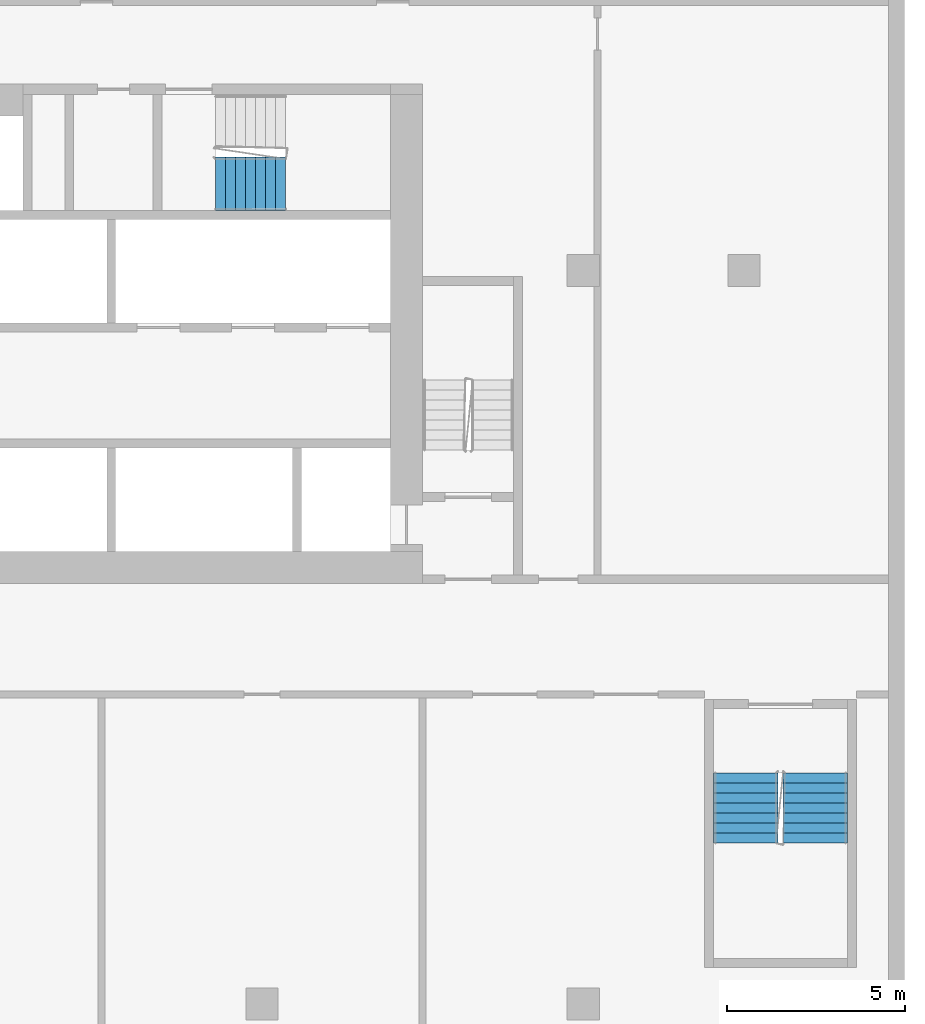
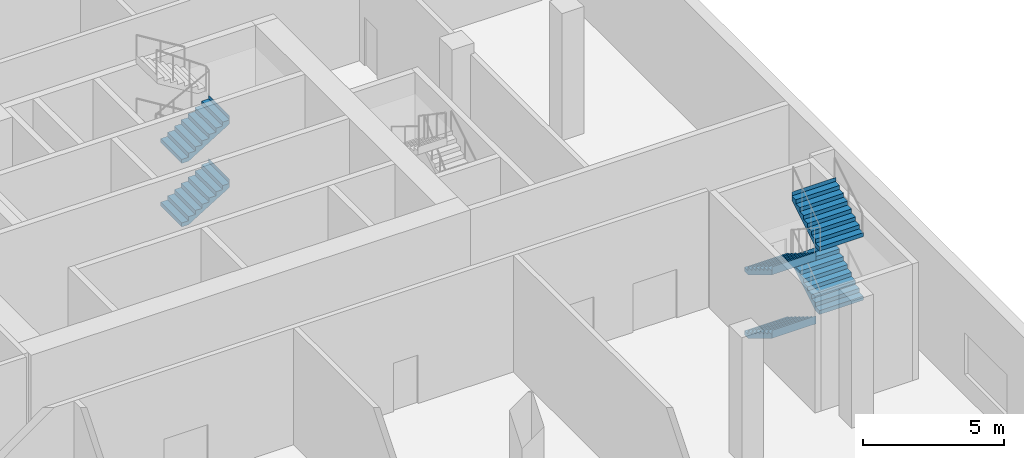
# One storey, part 18 of 21: 6 stair flights, 2 elements without a shape of their own.
"""IFC4 building model written with IfcOpenShell, lengths in metres."""

import ifcopenshell
import ifcopenshell.guid

model = None  # the IFC model being written
_history = None  # IfcOwnerHistory: only IFC2X3 demands one
_inside = {}  # id of a spatial element -> (the spatial element, [elements in it])
_under = {}  # id of a project, library or spatial element -> (it, [spatial elements below it])
_declared = {}  # id of a project -> (the project, [libraries it declares])
_typed = {}  # id of a type object -> (the type object, [elements of that type])
_made_of = {}  # id of a material, layer set ... -> (it, [elements and type objects made of it])


def new_model(schema):
    """Start an empty IFC model of exactly this schema.

    Asked for "IFC4X3", IfcOpenShell would pick the latest addendum, in which some entities
    have other attributes; the version numbers below select the first issue.
    IFC2X3 requires an IfcOwnerHistory on every rooted entity: one is made here for all.
    """
    global model, _history
    if schema == "IFC4X3":
        model = ifcopenshell.file(schema_version=(4, 3, 0, 0))
    else:
        model = ifcopenshell.file(schema=schema)
    _inside.clear()
    _under.clear()
    _declared.clear()
    _typed.clear()
    _made_of.clear()
    _history = None
    if model.schema == "IFC2X3":
        org = make("IfcOrganization", Name="unknown")
        user = make(
            "IfcPersonAndOrganization",
            ThePerson=make("IfcPerson", FamilyName="unknown"),
            TheOrganization=org,
        )
        app = make(
            "IfcApplication",
            ApplicationDeveloper=org,
            Version="unknown",
            ApplicationFullName="unknown",
            ApplicationIdentifier="unknown",
        )
        _history = make(
            "IfcOwnerHistory",
            OwningUser=user,
            OwningApplication=app,
            ChangeAction="ADDED",
            CreationDate=0,
        )
    return model


def make(cls, **values):
    """One entity of the class cls with the attributes given. An attribute that is None is left unset."""
    return model.create_entity(
        cls, **{name: value for name, value in values.items() if value is not None}
    )


def rooted(cls, **values):
    """An entity with a GlobalId (a new one), such as an element, a storey or a relation."""
    return make(cls, GlobalId=ifcopenshell.guid.new(), OwnerHistory=_history, **values)


def si_unit(unit_type, name, prefix=None):
    """IfcSIUnit, for example si_unit("LENGTHUNIT", "METRE", prefix="MILLI")."""
    return make("IfcSIUnit", UnitType=unit_type, Prefix=prefix, Name=name)


def assignment(units):
    """IfcUnitAssignment: the units of a project."""
    return None if units is None else make("IfcUnitAssignment", Units=units)


def point(xyz):
    """IfcCartesianPoint."""
    return None if xyz is None else make("IfcCartesianPoint", Coordinates=xyz)


def direction(xyz):
    """IfcDirection."""
    return None if xyz is None else make("IfcDirection", DirectionRatios=xyz)


def frame(location, z_axis=None, x_axis=None):
    """IfcAxis2Placement3D, a coordinate frame: its origin and axes. An axis left out is left unset."""
    return make(
        "IfcAxis2Placement3D",
        Location=point(location),
        Axis=direction(z_axis),
        RefDirection=direction(x_axis),
    )


def origin():
    """The frame at (0, 0, 0) with its axes left unset."""
    return frame((0.0, 0.0, 0.0))


def place(relative_to, where):
    """IfcLocalPlacement: puts the frame where relative to a parent placement (None: the world)."""
    return make(
        "IfcLocalPlacement", PlacementRelTo=relative_to, RelativePlacement=where
    )


def context(
    kind, dimensions, precision=None, world=None, true_north=None, identifier=None
):
    """IfcGeometricRepresentationContext, for example the 3D "Model" context."""
    return make(
        "IfcGeometricRepresentationContext",
        ContextIdentifier=identifier,
        ContextType=kind,
        CoordinateSpaceDimension=dimensions,
        Precision=precision,
        WorldCoordinateSystem=world,
        TrueNorth=true_north,
    )


def subcontext(parent, identifier, kind, view, scale=None):
    """IfcGeometricRepresentationSubContext, for example "Body" below "Model"."""
    return make(
        "IfcGeometricRepresentationSubContext",
        ContextIdentifier=identifier,
        ContextType=kind,
        ParentContext=parent,
        TargetScale=scale,
        TargetView=view,
    )


def project(units=None, contexts=None):
    """IfcProject with its units and contexts."""
    return rooted(
        "IfcProject",
        Name="project",
        RepresentationContexts=contexts,
        UnitsInContext=assignment(units),
    )


def spatial(cls, under=None, at=None, **own):
    """A site, building, storey or space (cls), placed at a placement, below another one or the project."""
    s = rooted(cls, ObjectPlacement=at, **own)
    if under is not None:
        _under.setdefault(under.id(), (under, []))[1].append(s)
    return s


def faces_of(points, faces, orient=None, outer=None):
    """IfcFace entities. A face is a list of loops; a loop is a list of indices into points, from 0.

    orient and outer hold one flag for each loop. By default every Orientation is true, the
    first loop of a face is its IfcFaceOuterBound and the others are IfcFaceBound.
    """
    made = []
    for i, loops in enumerate(faces):
        bounds = []
        for j, loop in enumerate(loops):
            is_outer = j == 0 if outer is None else outer[i][j]
            bounds.append(
                make(
                    "IfcFaceOuterBound" if is_outer else "IfcFaceBound",
                    Bound=make("IfcPolyLoop", Polygon=[points[k] for k in loop]),
                    Orientation=True if orient is None else orient[i][j],
                )
            )
        made.append(make("IfcFace", Bounds=bounds))
    return made


def faceted_brep(points, faces, orient=None, outer=None, voids=None):
    """IfcFacetedBrep: a solid bounded by flat faces; with voids (closed shells), ...WithVoids."""
    shared = [point(p) for p in points]
    hull = make("IfcClosedShell", CfsFaces=faces_of(shared, faces, orient, outer))
    if voids is None:
        return make("IfcFacetedBrep", Outer=hull)
    return make(
        "IfcFacetedBrepWithVoids",
        Outer=hull,
        Voids=[
            make(cls, CfsFaces=faces_of(shared, fs, o, b)) for cls, fs, o, b in voids
        ],
    )


def shape(context_of_items, identifier, shape_type, items):
    """IfcShapeRepresentation: the items that make up one representation, for example the "Body"."""
    return make(
        "IfcShapeRepresentation",
        ContextOfItems=context_of_items,
        RepresentationIdentifier=identifier,
        RepresentationType=shape_type,
        Items=items,
    )


def material(Name=None, Category=None):
    """IfcMaterial."""
    return make("IfcMaterial", Name=Name, Category=Category)


def made_of(thing, what):
    """Note that an element or type object is made of a material, layer set ...; save() writes the relation."""
    if what is not None:
        _made_of.setdefault(what.id(), (what, []))[1].append(thing)
    return thing


def type_object(cls, material=None, **own):
    """A type object (cls), such as IfcWallType, which elements share."""
    return made_of(rooted(cls, **own), material)


def element(
    cls,
    number,
    at=None,
    inside=None,
    cuts=None,
    type_object=None,
    material=None,
    context=None,
    identifier="Body",
    shape_type=None,
    held_by="IfcProductDefinitionShape",
    body=None,
    shapes=None,
    **own,
):
    """One element of the class cls, such as IfcWall. Its Tag is "e" and its number.

    at: its placement. inside: the storey or other place that contains it. cuts: it is an
    opening in that element (IfcRelVoidsElement). A single representation is given by context,
    identifier, shape_type and body (its items); several are given by shapes. held_by: the class
    of the entity that holds the representations. save() writes the other relations.
    """
    e = rooted(cls, Tag="e%d" % number, ObjectPlacement=at, **own)
    if body is not None:
        shapes = [shape(context, identifier, shape_type, body)]
    if shapes is not None:
        e.Representation = make(held_by, Representations=shapes)
    if inside is not None:
        _inside.setdefault(inside.id(), (inside, []))[1].append(e)
    if cuts is not None:
        rooted(
            "IfcRelVoidsElement", RelatingBuildingElement=cuts, RelatedOpeningElement=e
        )
    if type_object is not None:
        _typed.setdefault(type_object.id(), (type_object, []))[1].append(e)
    return made_of(e, material)


def aggregate(whole, parts):
    """IfcRelAggregates: a whole, such as a stair, and the parts it consists of."""
    return rooted("IfcRelAggregates", RelatingObject=whole, RelatedObjects=parts)


def save(model, path):
    """Write the relations noted so far, then the file.

    IfcRelAggregates (storeys below a building ...), IfcRelContainedInSpatialStructure (elements
    in a storey), IfcRelDefinesByType, IfcRelAssociatesMaterial and IfcRelDeclares: one each for
    every whole, place, type object, material and project.
    """
    for whole, parts in _under.values():
        aggregate(whole, parts)
    for where, things in _inside.values():
        rooted(
            "IfcRelContainedInSpatialStructure",
            RelatedElements=things,
            RelatingStructure=where,
        )
    for kind, things in _typed.values():
        rooted("IfcRelDefinesByType", RelatedObjects=things, RelatingType=kind)
    for what, things in _made_of.values():
        rooted("IfcRelAssociatesMaterial", RelatedObjects=things, RelatingMaterial=what)
    for by, libraries in _declared.values():
        rooted("IfcRelDeclares", RelatingContext=by, RelatedDefinitions=libraries)
    model.write(path)


model = new_model("IFC4")

# Units and contexts
model_context = context("Model", 3, precision=1e-05, world=origin(), true_north=direction((0.0, 1.0)))
body_context = subcontext(model_context, "Body", "Model", "MODEL_VIEW")
ifc_project = project(units=[si_unit("LENGTHUNIT", "METRE"), si_unit("AREAUNIT", "SQUARE_METRE"), si_unit("VOLUMEUNIT", "CUBIC_METRE"), si_unit("PLANEANGLEUNIT", "RADIAN"), si_unit("MASSUNIT", "GRAM", prefix="KILO")], contexts=[model_context])

# Site, building, storey
site_placement = place(None, origin())
site = spatial("IfcSite", under=ifc_project, at=site_placement, CompositionType="ELEMENT")
building_placement = place(site_placement, origin())
building = spatial("IfcBuilding", under=site, at=building_placement, Name="Kajstack Hotel Tower", CompositionType="ELEMENT")
storey_placement = place(building_placement, frame((0.0, 0.0, 23.5)))
storey = spatial("IfcBuildingStorey", under=building, at=storey_placement, Name="L03", CompositionType="ELEMENT", Elevation=23.5)

# Stair, stair flights
ifc_material = material(Name="Concrete C40/50", Category="concrete")
stair_type_1 = type_object("IfcStairType", Name="Escape stair 1800", PredefinedType="HALF_TURN_STAIR", material=ifc_material)
stair_1_placement = place(storey_placement, origin())
stair_1 = element("IfcStair", 1, at=stair_1_placement, inside=storey, type_object=stair_type_1, Name="L03 stair P2", PredefinedType="HALF_TURN_STAIR")
stair_flight_type_1 = type_object("IfcStairFlightType", Name="Escape stair flight 1800", PredefinedType="STRAIGHT", material=ifc_material)
stair_flight_1_placement = place(storey_placement, frame((40.550048828125, -3.800048828125, 0.0), z_axis=(0.0, 0.0, 1.0), x_axis=(0.0, -1.0, 0.0)))
stair_flight_1 = element("IfcStairFlight", 2, at=stair_flight_1_placement, type_object=stair_flight_type_1, Name="P2 flight 1", NumberOfRisers=8, NumberOfTreads=7, PredefinedType="STRAIGHT", RiserHeight=0.171875, TreadLength=0.28, context=body_context, shape_type="Brep", body=[
    faceted_brep([(0.287109375, -0.89990234375, 0.0), (1.96044921875, -0.89990234375, 1.02734375), (1.96044921875, -0.89990234375, 1.375), (1.9599609375, -0.89990234375, 1.375), (1.9599609375, -0.89990234375, 1.203125), (1.679931640625, -0.89990234375, 1.203125), (1.679931640625, -0.89990234375, 1.03125), (1.39990234375, -0.89990234375, 1.03125), (1.39990234375, -0.89990234375, 0.859375), (1.1201171875, -0.89990234375, 0.859375), (1.1201171875, -0.89990234375, 0.6875), (0.840087890625, -0.89990234375, 0.6875), (0.840087890625, -0.89990234375, 0.515625), (0.56005859375, -0.89990234375, 0.515625), (0.56005859375, -0.89990234375, 0.34375), (0.280029296875, -0.89990234375, 0.34375), (0.280029296875, -0.89990234375, 0.171875), (-0.00048828125, -0.89990234375, 0.171875), (-0.00048828125, -0.89990234375, 0.0), (-0.00048828125, 0.89990234375, 0.0), (-0.00048828125, 0.89990234375, 0.171875), (0.280029296875, 0.89990234375, 0.171875), (0.280029296875, 0.89990234375, 0.34375), (0.56005859375, 0.89990234375, 0.34375), (0.56005859375, 0.89990234375, 0.515625), (0.840087890625, 0.89990234375, 0.515625), (0.840087890625, 0.89990234375, 0.6875), (1.1201171875, 0.89990234375, 0.6875), (1.1201171875, 0.89990234375, 0.859375), (1.39990234375, 0.89990234375, 0.859375), (1.39990234375, 0.89990234375, 1.03125), (1.679931640625, 0.89990234375, 1.03125), (1.679931640625, 0.89990234375, 1.203125), (1.9599609375, 0.89990234375, 1.203125), (1.9599609375, 0.89990234375, 1.375), (1.96044921875, 0.89990234375, 1.375), (1.96044921875, 0.89990234375, 1.02734375), (0.287109375, 0.89990234375, 0.0), (-0.00048828125, -0.449951171875, 0.171875), (-0.00048828125, 0.0, 0.171875), (-0.00048828125, 0.449951171875, 0.171875), (-0.00048828125, 0.449951171875, 0.0), (-0.00048828125, 0.0, 0.0), (-0.00048828125, -0.449951171875, 0.0), (0.280029296875, -0.449951171875, 0.171875), (0.280029296875, 0.0, 0.171875), (0.280029296875, 0.449951171875, 0.171875), (0.280029296875, -0.449951171875, 0.34375), (0.280029296875, 0.0, 0.34375), (0.280029296875, 0.449951171875, 0.34375), (0.56005859375, -0.449951171875, 0.34375), (0.56005859375, 0.0, 0.34375), (0.56005859375, 0.449951171875, 0.34375), (0.56005859375, -0.449951171875, 0.515625), (0.56005859375, 0.0, 0.515625), (0.56005859375, 0.449951171875, 0.515625), (0.840087890625, -0.449951171875, 0.515625), (0.840087890625, 0.0, 0.515625), (0.840087890625, 0.449951171875, 0.515625), (0.840087890625, -0.449951171875, 0.6875), (0.840087890625, 0.0, 0.6875), (0.840087890625, 0.449951171875, 0.6875), (1.1201171875, -0.449951171875, 0.6875), (1.1201171875, 0.0, 0.6875), (1.1201171875, 0.449951171875, 0.6875), (1.1201171875, -0.449951171875, 0.859375), (1.1201171875, 0.0, 0.859375), (1.1201171875, 0.449951171875, 0.859375), (1.39990234375, -0.449951171875, 0.859375), (1.39990234375, 0.0, 0.859375), (1.39990234375, 0.449951171875, 0.859375), (1.39990234375, -0.449951171875, 1.03125), (1.39990234375, 0.0, 1.03125), (1.39990234375, 0.449951171875, 1.03125), (1.679931640625, -0.449951171875, 1.03125), (1.679931640625, 0.0, 1.03125), (1.679931640625, 0.449951171875, 1.03125), (1.679931640625, -0.449951171875, 1.203125), (1.679931640625, 0.0, 1.203125), (1.679931640625, 0.449951171875, 1.203125), (1.9599609375, -0.449951171875, 1.203125), (1.9599609375, 0.0, 1.203125), (1.9599609375, 0.449951171875, 1.203125), (1.9599609375, -0.449951171875, 1.375), (1.9599609375, 0.0, 1.375), (1.9599609375, 0.449951171875, 1.375), (1.96044921875, -0.449951171875, 1.375), (1.96044921875, 0.0, 1.375), (1.96044921875, 0.449951171875, 1.375), (1.96044921875, -0.449951171875, 1.02734375), (1.96044921875, 0.0, 1.02734375), (1.96044921875, 0.449951171875, 1.02734375), (0.287109375, -0.449951171875, 0.0), (0.287109375, 0.0, 0.0), (0.287109375, 0.449951171875, 0.0)], [[[0, 1, 2, 3, 4, 5, 6, 7, 8, 9, 10, 11, 12, 13, 14, 15, 16, 17, 18]], [[19, 20, 21, 22, 23, 24, 25, 26, 27, 28, 29, 30, 31, 32, 33, 34, 35, 36, 37]], [[17, 38, 39, 40, 20, 19, 41, 42, 43, 18]], [[16, 44, 45, 46, 21, 20, 40, 39, 38, 17]], [[15, 47, 48, 49, 22, 21, 46, 45, 44, 16]], [[14, 50, 51, 52, 23, 22, 49, 48, 47, 15]], [[13, 53, 54, 55, 24, 23, 52, 51, 50, 14]], [[12, 56, 57, 58, 25, 24, 55, 54, 53, 13]], [[11, 59, 60, 61, 26, 25, 58, 57, 56, 12]], [[10, 62, 63, 64, 27, 26, 61, 60, 59, 11]], [[9, 65, 66, 67, 28, 27, 64, 63, 62, 10]], [[8, 68, 69, 70, 29, 28, 67, 66, 65, 9]], [[7, 71, 72, 73, 30, 29, 70, 69, 68, 8]], [[6, 74, 75, 76, 31, 30, 73, 72, 71, 7]], [[5, 77, 78, 79, 32, 31, 76, 75, 74, 6]], [[4, 80, 81, 82, 33, 32, 79, 78, 77, 5]], [[3, 83, 84, 85, 34, 33, 82, 81, 80, 4]], [[2, 86, 87, 88, 35, 34, 85, 84, 83, 3]], [[1, 89, 90, 91, 36, 35, 88, 87, 86, 2]], [[0, 92, 93, 94, 37, 36, 91, 90, 89, 1]], [[18, 43, 42, 41, 19, 37, 94, 93, 92, 0]]]),
])
stair_flight_2_placement = place(storey_placement, frame((42.5, -5.760009765625, 1.375), z_axis=(0.0, 0.0, 1.0), x_axis=(0.0, 1.0, 0.0)))
stair_flight_2 = element("IfcStairFlight", 3, at=stair_flight_2_placement, type_object=stair_flight_type_1, Name="P2 flight 2", NumberOfRisers=8, NumberOfTreads=7, PredefinedType="STRAIGHT", RiserHeight=0.171875, TreadLength=0.28, context=body_context, shape_type="Brep", body=[
    faceted_brep([(0.287109375, -0.89990234375, 0.0), (1.96044921875, -0.89990234375, 1.02734375), (1.96044921875, -0.89990234375, 1.375), (1.9599609375, -0.89990234375, 1.375), (1.9599609375, -0.89990234375, 1.203125), (1.679931640625, -0.89990234375, 1.203125), (1.679931640625, -0.89990234375, 1.03125), (1.39990234375, -0.89990234375, 1.03125), (1.39990234375, -0.89990234375, 0.859375), (1.1201171875, -0.89990234375, 0.859375), (1.1201171875, -0.89990234375, 0.6875), (0.840087890625, -0.89990234375, 0.6875), (0.840087890625, -0.89990234375, 0.515625), (0.56005859375, -0.89990234375, 0.515625), (0.56005859375, -0.89990234375, 0.34375), (0.280029296875, -0.89990234375, 0.34375), (0.280029296875, -0.89990234375, 0.171875), (-0.00048828125, -0.89990234375, 0.171875), (-0.00048828125, -0.89990234375, 0.0), (-0.00048828125, 0.89990234375, 0.0), (-0.00048828125, 0.89990234375, 0.171875), (0.280029296875, 0.89990234375, 0.171875), (0.280029296875, 0.89990234375, 0.34375), (0.56005859375, 0.89990234375, 0.34375), (0.56005859375, 0.89990234375, 0.515625), (0.840087890625, 0.89990234375, 0.515625), (0.840087890625, 0.89990234375, 0.6875), (1.1201171875, 0.89990234375, 0.6875), (1.1201171875, 0.89990234375, 0.859375), (1.39990234375, 0.89990234375, 0.859375), (1.39990234375, 0.89990234375, 1.03125), (1.679931640625, 0.89990234375, 1.03125), (1.679931640625, 0.89990234375, 1.203125), (1.9599609375, 0.89990234375, 1.203125), (1.9599609375, 0.89990234375, 1.375), (1.96044921875, 0.89990234375, 1.375), (1.96044921875, 0.89990234375, 1.02734375), (0.287109375, 0.89990234375, 0.0), (-0.00048828125, -0.449951171875, 0.171875), (-0.00048828125, 0.0, 0.171875), (-0.00048828125, 0.449951171875, 0.171875), (-0.00048828125, 0.449951171875, 0.0), (-0.00048828125, 0.0, 0.0), (-0.00048828125, -0.449951171875, 0.0), (0.280029296875, -0.449951171875, 0.171875), (0.280029296875, 0.0, 0.171875), (0.280029296875, 0.449951171875, 0.171875), (0.280029296875, -0.449951171875, 0.34375), (0.280029296875, 0.0, 0.34375), (0.280029296875, 0.449951171875, 0.34375), (0.56005859375, -0.449951171875, 0.34375), (0.56005859375, 0.0, 0.34375), (0.56005859375, 0.449951171875, 0.34375), (0.56005859375, -0.449951171875, 0.515625), (0.56005859375, 0.0, 0.515625), (0.56005859375, 0.449951171875, 0.515625), (0.840087890625, -0.449951171875, 0.515625), (0.840087890625, 0.0, 0.515625), (0.840087890625, 0.449951171875, 0.515625), (0.840087890625, -0.449951171875, 0.6875), (0.840087890625, 0.0, 0.6875), (0.840087890625, 0.449951171875, 0.6875), (1.1201171875, -0.449951171875, 0.6875), (1.1201171875, 0.0, 0.6875), (1.1201171875, 0.449951171875, 0.6875), (1.1201171875, -0.449951171875, 0.859375), (1.1201171875, 0.0, 0.859375), (1.1201171875, 0.449951171875, 0.859375), (1.39990234375, -0.449951171875, 0.859375), (1.39990234375, 0.0, 0.859375), (1.39990234375, 0.449951171875, 0.859375), (1.39990234375, -0.449951171875, 1.03125), (1.39990234375, 0.0, 1.03125), (1.39990234375, 0.449951171875, 1.03125), (1.679931640625, -0.449951171875, 1.03125), (1.679931640625, 0.0, 1.03125), (1.679931640625, 0.449951171875, 1.03125), (1.679931640625, -0.449951171875, 1.203125), (1.679931640625, 0.0, 1.203125), (1.679931640625, 0.449951171875, 1.203125), (1.9599609375, -0.449951171875, 1.203125), (1.9599609375, 0.0, 1.203125), (1.9599609375, 0.449951171875, 1.203125), (1.9599609375, -0.449951171875, 1.375), (1.9599609375, 0.0, 1.375), (1.9599609375, 0.449951171875, 1.375), (1.96044921875, -0.449951171875, 1.375), (1.96044921875, 0.0, 1.375), (1.96044921875, 0.449951171875, 1.375), (1.96044921875, -0.449951171875, 1.02734375), (1.96044921875, 0.0, 1.02734375), (1.96044921875, 0.449951171875, 1.02734375), (0.287109375, -0.449951171875, 0.0), (0.287109375, 0.0, 0.0), (0.287109375, 0.449951171875, 0.0)], [[[0, 1, 2, 3, 4, 5, 6, 7, 8, 9, 10, 11, 12, 13, 14, 15, 16, 17, 18]], [[19, 20, 21, 22, 23, 24, 25, 26, 27, 28, 29, 30, 31, 32, 33, 34, 35, 36, 37]], [[17, 38, 39, 40, 20, 19, 41, 42, 43, 18]], [[16, 44, 45, 46, 21, 20, 40, 39, 38, 17]], [[15, 47, 48, 49, 22, 21, 46, 45, 44, 16]], [[14, 50, 51, 52, 23, 22, 49, 48, 47, 15]], [[13, 53, 54, 55, 24, 23, 52, 51, 50, 14]], [[12, 56, 57, 58, 25, 24, 55, 54, 53, 13]], [[11, 59, 60, 61, 26, 25, 58, 57, 56, 12]], [[10, 62, 63, 64, 27, 26, 61, 60, 59, 11]], [[9, 65, 66, 67, 28, 27, 64, 63, 62, 10]], [[8, 68, 69, 70, 29, 28, 67, 66, 65, 9]], [[7, 71, 72, 73, 30, 29, 70, 69, 68, 8]], [[6, 74, 75, 76, 31, 30, 73, 72, 71, 7]], [[5, 77, 78, 79, 32, 31, 76, 75, 74, 6]], [[4, 80, 81, 82, 33, 32, 79, 78, 77, 5]], [[3, 83, 84, 85, 34, 33, 82, 81, 80, 4]], [[2, 86, 87, 88, 35, 34, 85, 84, 83, 3]], [[1, 89, 90, 91, 36, 35, 88, 87, 86, 2]], [[0, 92, 93, 94, 37, 36, 91, 90, 89, 1]], [[18, 43, 42, 41, 19, 37, 94, 93, 92, 0]]]),
])
stair_flight_3_placement = place(storey_placement, frame((40.550048828125, -3.800048828125, 2.75), z_axis=(0.0, 0.0, 1.0), x_axis=(0.0, -1.0, 0.0)))
stair_flight_3 = element("IfcStairFlight", 4, at=stair_flight_3_placement, type_object=stair_flight_type_1, Name="P2 flight 3", NumberOfRisers=8, NumberOfTreads=7, PredefinedType="STRAIGHT", RiserHeight=0.171875, TreadLength=0.28, context=body_context, shape_type="Brep", body=[
    faceted_brep([(0.287109375, -0.89990234375, 0.0), (1.96044921875, -0.89990234375, 1.02734375), (1.96044921875, -0.89990234375, 1.375), (1.9599609375, -0.89990234375, 1.375), (1.9599609375, -0.89990234375, 1.203125), (1.679931640625, -0.89990234375, 1.203125), (1.679931640625, -0.89990234375, 1.03125), (1.39990234375, -0.89990234375, 1.03125), (1.39990234375, -0.89990234375, 0.859375), (1.1201171875, -0.89990234375, 0.859375), (1.1201171875, -0.89990234375, 0.6875), (0.840087890625, -0.89990234375, 0.6875), (0.840087890625, -0.89990234375, 0.515625), (0.56005859375, -0.89990234375, 0.515625), (0.56005859375, -0.89990234375, 0.34375), (0.280029296875, -0.89990234375, 0.34375), (0.280029296875, -0.89990234375, 0.171875), (-0.00048828125, -0.89990234375, 0.171875), (-0.00048828125, -0.89990234375, 0.0), (-0.00048828125, 0.89990234375, 0.0), (-0.00048828125, 0.89990234375, 0.171875), (0.280029296875, 0.89990234375, 0.171875), (0.280029296875, 0.89990234375, 0.34375), (0.56005859375, 0.89990234375, 0.34375), (0.56005859375, 0.89990234375, 0.515625), (0.840087890625, 0.89990234375, 0.515625), (0.840087890625, 0.89990234375, 0.6875), (1.1201171875, 0.89990234375, 0.6875), (1.1201171875, 0.89990234375, 0.859375), (1.39990234375, 0.89990234375, 0.859375), (1.39990234375, 0.89990234375, 1.03125), (1.679931640625, 0.89990234375, 1.03125), (1.679931640625, 0.89990234375, 1.203125), (1.9599609375, 0.89990234375, 1.203125), (1.9599609375, 0.89990234375, 1.375), (1.96044921875, 0.89990234375, 1.375), (1.96044921875, 0.89990234375, 1.02734375), (0.287109375, 0.89990234375, 0.0), (-0.00048828125, -0.449951171875, 0.171875), (-0.00048828125, 0.0, 0.171875), (-0.00048828125, 0.449951171875, 0.171875), (-0.00048828125, 0.449951171875, 0.0), (-0.00048828125, 0.0, 0.0), (-0.00048828125, -0.449951171875, 0.0), (0.280029296875, -0.449951171875, 0.171875), (0.280029296875, 0.0, 0.171875), (0.280029296875, 0.449951171875, 0.171875), (0.280029296875, -0.449951171875, 0.34375), (0.280029296875, 0.0, 0.34375), (0.280029296875, 0.449951171875, 0.34375), (0.56005859375, -0.449951171875, 0.34375), (0.56005859375, 0.0, 0.34375), (0.56005859375, 0.449951171875, 0.34375), (0.56005859375, -0.449951171875, 0.515625), (0.56005859375, 0.0, 0.515625), (0.56005859375, 0.449951171875, 0.515625), (0.840087890625, -0.449951171875, 0.515625), (0.840087890625, 0.0, 0.515625), (0.840087890625, 0.449951171875, 0.515625), (0.840087890625, -0.449951171875, 0.6875), (0.840087890625, 0.0, 0.6875), (0.840087890625, 0.449951171875, 0.6875), (1.1201171875, -0.449951171875, 0.6875), (1.1201171875, 0.0, 0.6875), (1.1201171875, 0.449951171875, 0.6875), (1.1201171875, -0.449951171875, 0.859375), (1.1201171875, 0.0, 0.859375), (1.1201171875, 0.449951171875, 0.859375), (1.39990234375, -0.449951171875, 0.859375), (1.39990234375, 0.0, 0.859375), (1.39990234375, 0.449951171875, 0.859375), (1.39990234375, -0.449951171875, 1.03125), (1.39990234375, 0.0, 1.03125), (1.39990234375, 0.449951171875, 1.03125), (1.679931640625, -0.449951171875, 1.03125), (1.679931640625, 0.0, 1.03125), (1.679931640625, 0.449951171875, 1.03125), (1.679931640625, -0.449951171875, 1.203125), (1.679931640625, 0.0, 1.203125), (1.679931640625, 0.449951171875, 1.203125), (1.9599609375, -0.449951171875, 1.203125), (1.9599609375, 0.0, 1.203125), (1.9599609375, 0.449951171875, 1.203125), (1.9599609375, -0.449951171875, 1.375), (1.9599609375, 0.0, 1.375), (1.9599609375, 0.449951171875, 1.375), (1.96044921875, -0.449951171875, 1.375), (1.96044921875, 0.0, 1.375), (1.96044921875, 0.449951171875, 1.375), (1.96044921875, -0.449951171875, 1.02734375), (1.96044921875, 0.0, 1.02734375), (1.96044921875, 0.449951171875, 1.02734375), (0.287109375, -0.449951171875, 0.0), (0.287109375, 0.0, 0.0), (0.287109375, 0.449951171875, 0.0)], [[[0, 1, 2, 3, 4, 5, 6, 7, 8, 9, 10, 11, 12, 13, 14, 15, 16, 17, 18]], [[19, 20, 21, 22, 23, 24, 25, 26, 27, 28, 29, 30, 31, 32, 33, 34, 35, 36, 37]], [[17, 38, 39, 40, 20, 19, 41, 42, 43, 18]], [[16, 44, 45, 46, 21, 20, 40, 39, 38, 17]], [[15, 47, 48, 49, 22, 21, 46, 45, 44, 16]], [[14, 50, 51, 52, 23, 22, 49, 48, 47, 15]], [[13, 53, 54, 55, 24, 23, 52, 51, 50, 14]], [[12, 56, 57, 58, 25, 24, 55, 54, 53, 13]], [[11, 59, 60, 61, 26, 25, 58, 57, 56, 12]], [[10, 62, 63, 64, 27, 26, 61, 60, 59, 11]], [[9, 65, 66, 67, 28, 27, 64, 63, 62, 10]], [[8, 68, 69, 70, 29, 28, 67, 66, 65, 9]], [[7, 71, 72, 73, 30, 29, 70, 69, 68, 8]], [[6, 74, 75, 76, 31, 30, 73, 72, 71, 7]], [[5, 77, 78, 79, 32, 31, 76, 75, 74, 6]], [[4, 80, 81, 82, 33, 32, 79, 78, 77, 5]], [[3, 83, 84, 85, 34, 33, 82, 81, 80, 4]], [[2, 86, 87, 88, 35, 34, 85, 84, 83, 3]], [[1, 89, 90, 91, 36, 35, 88, 87, 86, 2]], [[0, 92, 93, 94, 37, 36, 91, 90, 89, 1]], [[18, 43, 42, 41, 19, 37, 94, 93, 92, 0]]]),
])
stair_flight_4_placement = place(storey_placement, frame((42.5, -5.760009765625, 4.125), z_axis=(0.0, 0.0, 1.0), x_axis=(0.0, 1.0, 0.0)))
stair_flight_4 = element("IfcStairFlight", 5, at=stair_flight_4_placement, type_object=stair_flight_type_1, Name="P2 flight 4", NumberOfRisers=8, NumberOfTreads=7, PredefinedType="STRAIGHT", RiserHeight=0.171875, TreadLength=0.28, context=body_context, shape_type="Brep", body=[
    faceted_brep([(0.287109375, -0.89990234375, 0.0), (1.96044921875, -0.89990234375, 1.02734375), (1.96044921875, -0.89990234375, 1.375), (1.9599609375, -0.89990234375, 1.375), (1.9599609375, -0.89990234375, 1.203125), (1.679931640625, -0.89990234375, 1.203125), (1.679931640625, -0.89990234375, 1.03125), (1.39990234375, -0.89990234375, 1.03125), (1.39990234375, -0.89990234375, 0.859375), (1.1201171875, -0.89990234375, 0.859375), (1.1201171875, -0.89990234375, 0.6875), (0.840087890625, -0.89990234375, 0.6875), (0.840087890625, -0.89990234375, 0.515625), (0.56005859375, -0.89990234375, 0.515625), (0.56005859375, -0.89990234375, 0.34375), (0.280029296875, -0.89990234375, 0.34375), (0.280029296875, -0.89990234375, 0.171875), (-0.00048828125, -0.89990234375, 0.171875), (-0.00048828125, -0.89990234375, 0.0), (-0.00048828125, 0.89990234375, 0.0), (-0.00048828125, 0.89990234375, 0.171875), (0.280029296875, 0.89990234375, 0.171875), (0.280029296875, 0.89990234375, 0.34375), (0.56005859375, 0.89990234375, 0.34375), (0.56005859375, 0.89990234375, 0.515625), (0.840087890625, 0.89990234375, 0.515625), (0.840087890625, 0.89990234375, 0.6875), (1.1201171875, 0.89990234375, 0.6875), (1.1201171875, 0.89990234375, 0.859375), (1.39990234375, 0.89990234375, 0.859375), (1.39990234375, 0.89990234375, 1.03125), (1.679931640625, 0.89990234375, 1.03125), (1.679931640625, 0.89990234375, 1.203125), (1.9599609375, 0.89990234375, 1.203125), (1.9599609375, 0.89990234375, 1.375), (1.96044921875, 0.89990234375, 1.375), (1.96044921875, 0.89990234375, 1.02734375), (0.287109375, 0.89990234375, 0.0), (-0.00048828125, -0.449951171875, 0.171875), (-0.00048828125, 0.0, 0.171875), (-0.00048828125, 0.449951171875, 0.171875), (-0.00048828125, 0.449951171875, 0.0), (-0.00048828125, 0.0, 0.0), (-0.00048828125, -0.449951171875, 0.0), (0.280029296875, -0.449951171875, 0.171875), (0.280029296875, 0.0, 0.171875), (0.280029296875, 0.449951171875, 0.171875), (0.280029296875, -0.449951171875, 0.34375), (0.280029296875, 0.0, 0.34375), (0.280029296875, 0.449951171875, 0.34375), (0.56005859375, -0.449951171875, 0.34375), (0.56005859375, 0.0, 0.34375), (0.56005859375, 0.449951171875, 0.34375), (0.56005859375, -0.449951171875, 0.515625), (0.56005859375, 0.0, 0.515625), (0.56005859375, 0.449951171875, 0.515625), (0.840087890625, -0.449951171875, 0.515625), (0.840087890625, 0.0, 0.515625), (0.840087890625, 0.449951171875, 0.515625), (0.840087890625, -0.449951171875, 0.6875), (0.840087890625, 0.0, 0.6875), (0.840087890625, 0.449951171875, 0.6875), (1.1201171875, -0.449951171875, 0.6875), (1.1201171875, 0.0, 0.6875), (1.1201171875, 0.449951171875, 0.6875), (1.1201171875, -0.449951171875, 0.859375), (1.1201171875, 0.0, 0.859375), (1.1201171875, 0.449951171875, 0.859375), (1.39990234375, -0.449951171875, 0.859375), (1.39990234375, 0.0, 0.859375), (1.39990234375, 0.449951171875, 0.859375), (1.39990234375, -0.449951171875, 1.03125), (1.39990234375, 0.0, 1.03125), (1.39990234375, 0.449951171875, 1.03125), (1.679931640625, -0.449951171875, 1.03125), (1.679931640625, 0.0, 1.03125), (1.679931640625, 0.449951171875, 1.03125), (1.679931640625, -0.449951171875, 1.203125), (1.679931640625, 0.0, 1.203125), (1.679931640625, 0.449951171875, 1.203125), (1.9599609375, -0.449951171875, 1.203125), (1.9599609375, 0.0, 1.203125), (1.9599609375, 0.449951171875, 1.203125), (1.9599609375, -0.449951171875, 1.375), (1.9599609375, 0.0, 1.375), (1.9599609375, 0.449951171875, 1.375), (1.96044921875, -0.449951171875, 1.375), (1.96044921875, 0.0, 1.375), (1.96044921875, 0.449951171875, 1.375), (1.96044921875, -0.449951171875, 1.02734375), (1.96044921875, 0.0, 1.02734375), (1.96044921875, 0.449951171875, 1.02734375), (0.287109375, -0.449951171875, 0.0), (0.287109375, 0.0, 0.0), (0.287109375, 0.449951171875, 0.0)], [[[0, 1, 2, 3, 4, 5, 6, 7, 8, 9, 10, 11, 12, 13, 14, 15, 16, 17, 18]], [[19, 20, 21, 22, 23, 24, 25, 26, 27, 28, 29, 30, 31, 32, 33, 34, 35, 36, 37]], [[17, 38, 39, 40, 20, 19, 41, 42, 43, 18]], [[16, 44, 45, 46, 21, 20, 40, 39, 38, 17]], [[15, 47, 48, 49, 22, 21, 46, 45, 44, 16]], [[14, 50, 51, 52, 23, 22, 49, 48, 47, 15]], [[13, 53, 54, 55, 24, 23, 52, 51, 50, 14]], [[12, 56, 57, 58, 25, 24, 55, 54, 53, 13]], [[11, 59, 60, 61, 26, 25, 58, 57, 56, 12]], [[10, 62, 63, 64, 27, 26, 61, 60, 59, 11]], [[9, 65, 66, 67, 28, 27, 64, 63, 62, 10]], [[8, 68, 69, 70, 29, 28, 67, 66, 65, 9]], [[7, 71, 72, 73, 30, 29, 70, 69, 68, 8]], [[6, 74, 75, 76, 31, 30, 73, 72, 71, 7]], [[5, 77, 78, 79, 32, 31, 76, 75, 74, 6]], [[4, 80, 81, 82, 33, 32, 79, 78, 77, 5]], [[3, 83, 84, 85, 34, 33, 82, 81, 80, 4]], [[2, 86, 87, 88, 35, 34, 85, 84, 83, 3]], [[1, 89, 90, 91, 36, 35, 88, 87, 86, 2]], [[0, 92, 93, 94, 37, 36, 91, 90, 89, 1]], [[18, 43, 42, 41, 19, 37, 94, 93, 92, 0]]]),
])
aggregate(stair_1, [stair_flight_1, stair_flight_2, stair_flight_3, stair_flight_4])

stair_type_2 = type_object("IfcStairType", Name="Exit stair 1500", PredefinedType="HALF_TURN_STAIR", material=ifc_material)
stair_2_placement = place(storey_placement, origin())
stair_2 = element("IfcStair", 6, at=stair_2_placement, inside=storey, type_object=stair_type_2, Name="L03 stair E3", PredefinedType="HALF_TURN_STAIR")
stair_flight_type_2 = type_object("IfcStairFlightType", Name="Exit stair flight 1500", PredefinedType="STRAIGHT", material=ifc_material)
stair_flight_5_placement = place(storey_placement, frame((25.699951171875, 12.699951171875, 0.0), z_axis=(0.0, 0.0, 1.0), x_axis=(1.0, 0.0, 0.0)))
stair_flight_5 = element("IfcStairFlight", 7, at=stair_flight_5_placement, type_object=stair_flight_type_2, Name="E3 flight 1", NumberOfRisers=8, NumberOfTreads=7, PredefinedType="STRAIGHT", RiserHeight=0.171875, TreadLength=0.28, context=body_context, shape_type="Brep", body=[
    faceted_brep([(0.287109375, -0.75, 0.0), (1.96044921875, -0.75, 1.02734375), (1.96044921875, -0.75, 1.375), (1.9599609375, -0.75, 1.375), (1.9599609375, -0.75, 1.203125), (1.679931640625, -0.75, 1.203125), (1.679931640625, -0.75, 1.03125), (1.39990234375, -0.75, 1.03125), (1.39990234375, -0.75, 0.859375), (1.1201171875, -0.75, 0.859375), (1.1201171875, -0.75, 0.6875), (0.840087890625, -0.75, 0.6875), (0.840087890625, -0.75, 0.515625), (0.56005859375, -0.75, 0.515625), (0.56005859375, -0.75, 0.34375), (0.280029296875, -0.75, 0.34375), (0.280029296875, -0.75, 0.171875), (-0.00048828125, -0.75, 0.171875), (-0.00048828125, -0.75, 0.0), (-0.00048828125, 0.75, 0.0), (-0.00048828125, 0.75, 0.171875), (0.280029296875, 0.75, 0.171875), (0.280029296875, 0.75, 0.34375), (0.56005859375, 0.75, 0.34375), (0.56005859375, 0.75, 0.515625), (0.840087890625, 0.75, 0.515625), (0.840087890625, 0.75, 0.6875), (1.1201171875, 0.75, 0.6875), (1.1201171875, 0.75, 0.859375), (1.39990234375, 0.75, 0.859375), (1.39990234375, 0.75, 1.03125), (1.679931640625, 0.75, 1.03125), (1.679931640625, 0.75, 1.203125), (1.9599609375, 0.75, 1.203125), (1.9599609375, 0.75, 1.375), (1.96044921875, 0.75, 1.375), (1.96044921875, 0.75, 1.02734375), (0.287109375, 0.75, 0.0), (-0.00048828125, -0.375, 0.171875), (-0.00048828125, 0.0, 0.171875), (-0.00048828125, 0.375, 0.171875), (-0.00048828125, 0.375, 0.0), (-0.00048828125, 0.0, 0.0), (-0.00048828125, -0.375, 0.0), (0.280029296875, -0.375, 0.171875), (0.280029296875, 0.0, 0.171875), (0.280029296875, 0.375, 0.171875), (0.280029296875, -0.375, 0.34375), (0.280029296875, 0.0, 0.34375), (0.280029296875, 0.375, 0.34375), (0.56005859375, -0.375, 0.34375), (0.56005859375, 0.0, 0.34375), (0.56005859375, 0.375, 0.34375), (0.56005859375, -0.375, 0.515625), (0.56005859375, 0.0, 0.515625), (0.56005859375, 0.375, 0.515625), (0.840087890625, -0.375, 0.515625), (0.840087890625, 0.0, 0.515625), (0.840087890625, 0.375, 0.515625), (0.840087890625, -0.375, 0.6875), (0.840087890625, 0.0, 0.6875), (0.840087890625, 0.375, 0.6875), (1.1201171875, -0.375, 0.6875), (1.1201171875, 0.0, 0.6875), (1.1201171875, 0.375, 0.6875), (1.1201171875, -0.375, 0.859375), (1.1201171875, 0.0, 0.859375), (1.1201171875, 0.375, 0.859375), (1.39990234375, -0.375, 0.859375), (1.39990234375, 0.0, 0.859375), (1.39990234375, 0.375, 0.859375), (1.39990234375, -0.375, 1.03125), (1.39990234375, 0.0, 1.03125), (1.39990234375, 0.375, 1.03125), (1.679931640625, -0.375, 1.03125), (1.679931640625, 0.0, 1.03125), (1.679931640625, 0.375, 1.03125), (1.679931640625, -0.375, 1.203125), (1.679931640625, 0.0, 1.203125), (1.679931640625, 0.375, 1.203125), (1.9599609375, -0.375, 1.203125), (1.9599609375, 0.0, 1.203125), (1.9599609375, 0.375, 1.203125), (1.9599609375, -0.375, 1.375), (1.9599609375, 0.0, 1.375), (1.9599609375, 0.375, 1.375), (1.96044921875, -0.375, 1.375), (1.96044921875, 0.0, 1.375), (1.96044921875, 0.375, 1.375), (1.96044921875, -0.375, 1.02734375), (1.96044921875, 0.0, 1.02734375), (1.96044921875, 0.375, 1.02734375), (0.287109375, -0.375, 0.0), (0.287109375, 0.0, 0.0), (0.287109375, 0.375, 0.0)], [[[0, 1, 2, 3, 4, 5, 6, 7, 8, 9, 10, 11, 12, 13, 14, 15, 16, 17, 18]], [[19, 20, 21, 22, 23, 24, 25, 26, 27, 28, 29, 30, 31, 32, 33, 34, 35, 36, 37]], [[17, 38, 39, 40, 20, 19, 41, 42, 43, 18]], [[16, 44, 45, 46, 21, 20, 40, 39, 38, 17]], [[15, 47, 48, 49, 22, 21, 46, 45, 44, 16]], [[14, 50, 51, 52, 23, 22, 49, 48, 47, 15]], [[13, 53, 54, 55, 24, 23, 52, 51, 50, 14]], [[12, 56, 57, 58, 25, 24, 55, 54, 53, 13]], [[11, 59, 60, 61, 26, 25, 58, 57, 56, 12]], [[10, 62, 63, 64, 27, 26, 61, 60, 59, 11]], [[9, 65, 66, 67, 28, 27, 64, 63, 62, 10]], [[8, 68, 69, 70, 29, 28, 67, 66, 65, 9]], [[7, 71, 72, 73, 30, 29, 70, 69, 68, 8]], [[6, 74, 75, 76, 31, 30, 73, 72, 71, 7]], [[5, 77, 78, 79, 32, 31, 76, 75, 74, 6]], [[4, 80, 81, 82, 33, 32, 79, 78, 77, 5]], [[3, 83, 84, 85, 34, 33, 82, 81, 80, 4]], [[2, 86, 87, 88, 35, 34, 85, 84, 83, 3]], [[1, 89, 90, 91, 36, 35, 88, 87, 86, 2]], [[0, 92, 93, 94, 37, 36, 91, 90, 89, 1]], [[18, 43, 42, 41, 19, 37, 94, 93, 92, 0]]]),
])
stair_flight_6_placement = place(storey_placement, frame((25.699951171875, 12.699951171875, 2.75), z_axis=(0.0, 0.0, 1.0), x_axis=(1.0, 0.0, 0.0)))
stair_flight_6 = element("IfcStairFlight", 8, at=stair_flight_6_placement, type_object=stair_flight_type_2, Name="E3 flight 3", NumberOfRisers=8, NumberOfTreads=7, PredefinedType="STRAIGHT", RiserHeight=0.171875, TreadLength=0.28, context=body_context, shape_type="Brep", body=[
    faceted_brep([(0.287109375, -0.75, 0.0), (1.96044921875, -0.75, 1.02734375), (1.96044921875, -0.75, 1.375), (1.9599609375, -0.75, 1.375), (1.9599609375, -0.75, 1.203125), (1.679931640625, -0.75, 1.203125), (1.679931640625, -0.75, 1.03125), (1.39990234375, -0.75, 1.03125), (1.39990234375, -0.75, 0.859375), (1.1201171875, -0.75, 0.859375), (1.1201171875, -0.75, 0.6875), (0.840087890625, -0.75, 0.6875), (0.840087890625, -0.75, 0.515625), (0.56005859375, -0.75, 0.515625), (0.56005859375, -0.75, 0.34375), (0.280029296875, -0.75, 0.34375), (0.280029296875, -0.75, 0.171875), (-0.00048828125, -0.75, 0.171875), (-0.00048828125, -0.75, 0.0), (-0.00048828125, 0.75, 0.0), (-0.00048828125, 0.75, 0.171875), (0.280029296875, 0.75, 0.171875), (0.280029296875, 0.75, 0.34375), (0.56005859375, 0.75, 0.34375), (0.56005859375, 0.75, 0.515625), (0.840087890625, 0.75, 0.515625), (0.840087890625, 0.75, 0.6875), (1.1201171875, 0.75, 0.6875), (1.1201171875, 0.75, 0.859375), (1.39990234375, 0.75, 0.859375), (1.39990234375, 0.75, 1.03125), (1.679931640625, 0.75, 1.03125), (1.679931640625, 0.75, 1.203125), (1.9599609375, 0.75, 1.203125), (1.9599609375, 0.75, 1.375), (1.96044921875, 0.75, 1.375), (1.96044921875, 0.75, 1.02734375), (0.287109375, 0.75, 0.0), (-0.00048828125, -0.375, 0.171875), (-0.00048828125, 0.0, 0.171875), (-0.00048828125, 0.375, 0.171875), (-0.00048828125, 0.375, 0.0), (-0.00048828125, 0.0, 0.0), (-0.00048828125, -0.375, 0.0), (0.280029296875, -0.375, 0.171875), (0.280029296875, 0.0, 0.171875), (0.280029296875, 0.375, 0.171875), (0.280029296875, -0.375, 0.34375), (0.280029296875, 0.0, 0.34375), (0.280029296875, 0.375, 0.34375), (0.56005859375, -0.375, 0.34375), (0.56005859375, 0.0, 0.34375), (0.56005859375, 0.375, 0.34375), (0.56005859375, -0.375, 0.515625), (0.56005859375, 0.0, 0.515625), (0.56005859375, 0.375, 0.515625), (0.840087890625, -0.375, 0.515625), (0.840087890625, 0.0, 0.515625), (0.840087890625, 0.375, 0.515625), (0.840087890625, -0.375, 0.6875), (0.840087890625, 0.0, 0.6875), (0.840087890625, 0.375, 0.6875), (1.1201171875, -0.375, 0.6875), (1.1201171875, 0.0, 0.6875), (1.1201171875, 0.375, 0.6875), (1.1201171875, -0.375, 0.859375), (1.1201171875, 0.0, 0.859375), (1.1201171875, 0.375, 0.859375), (1.39990234375, -0.375, 0.859375), (1.39990234375, 0.0, 0.859375), (1.39990234375, 0.375, 0.859375), (1.39990234375, -0.375, 1.03125), (1.39990234375, 0.0, 1.03125), (1.39990234375, 0.375, 1.03125), (1.679931640625, -0.375, 1.03125), (1.679931640625, 0.0, 1.03125), (1.679931640625, 0.375, 1.03125), (1.679931640625, -0.375, 1.203125), (1.679931640625, 0.0, 1.203125), (1.679931640625, 0.375, 1.203125), (1.9599609375, -0.375, 1.203125), (1.9599609375, 0.0, 1.203125), (1.9599609375, 0.375, 1.203125), (1.9599609375, -0.375, 1.375), (1.9599609375, 0.0, 1.375), (1.9599609375, 0.375, 1.375), (1.96044921875, -0.375, 1.375), (1.96044921875, 0.0, 1.375), (1.96044921875, 0.375, 1.375), (1.96044921875, -0.375, 1.02734375), (1.96044921875, 0.0, 1.02734375), (1.96044921875, 0.375, 1.02734375), (0.287109375, -0.375, 0.0), (0.287109375, 0.0, 0.0), (0.287109375, 0.375, 0.0)], [[[0, 1, 2, 3, 4, 5, 6, 7, 8, 9, 10, 11, 12, 13, 14, 15, 16, 17, 18]], [[19, 20, 21, 22, 23, 24, 25, 26, 27, 28, 29, 30, 31, 32, 33, 34, 35, 36, 37]], [[17, 38, 39, 40, 20, 19, 41, 42, 43, 18]], [[16, 44, 45, 46, 21, 20, 40, 39, 38, 17]], [[15, 47, 48, 49, 22, 21, 46, 45, 44, 16]], [[14, 50, 51, 52, 23, 22, 49, 48, 47, 15]], [[13, 53, 54, 55, 24, 23, 52, 51, 50, 14]], [[12, 56, 57, 58, 25, 24, 55, 54, 53, 13]], [[11, 59, 60, 61, 26, 25, 58, 57, 56, 12]], [[10, 62, 63, 64, 27, 26, 61, 60, 59, 11]], [[9, 65, 66, 67, 28, 27, 64, 63, 62, 10]], [[8, 68, 69, 70, 29, 28, 67, 66, 65, 9]], [[7, 71, 72, 73, 30, 29, 70, 69, 68, 8]], [[6, 74, 75, 76, 31, 30, 73, 72, 71, 7]], [[5, 77, 78, 79, 32, 31, 76, 75, 74, 6]], [[4, 80, 81, 82, 33, 32, 79, 78, 77, 5]], [[3, 83, 84, 85, 34, 33, 82, 81, 80, 4]], [[2, 86, 87, 88, 35, 34, 85, 84, 83, 3]], [[1, 89, 90, 91, 36, 35, 88, 87, 86, 2]], [[0, 92, 93, 94, 37, 36, 91, 90, 89, 1]], [[18, 43, 42, 41, 19, 37, 94, 93, 92, 0]]]),
])
aggregate(stair_2, [stair_flight_5, stair_flight_6])

save(model, "model.ifc")
